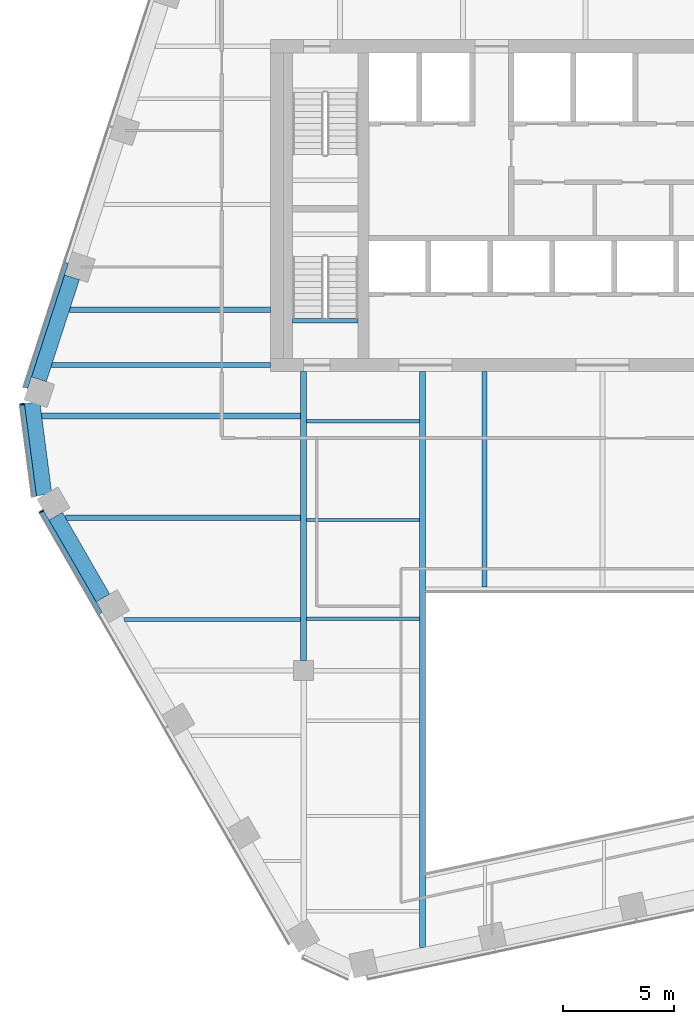
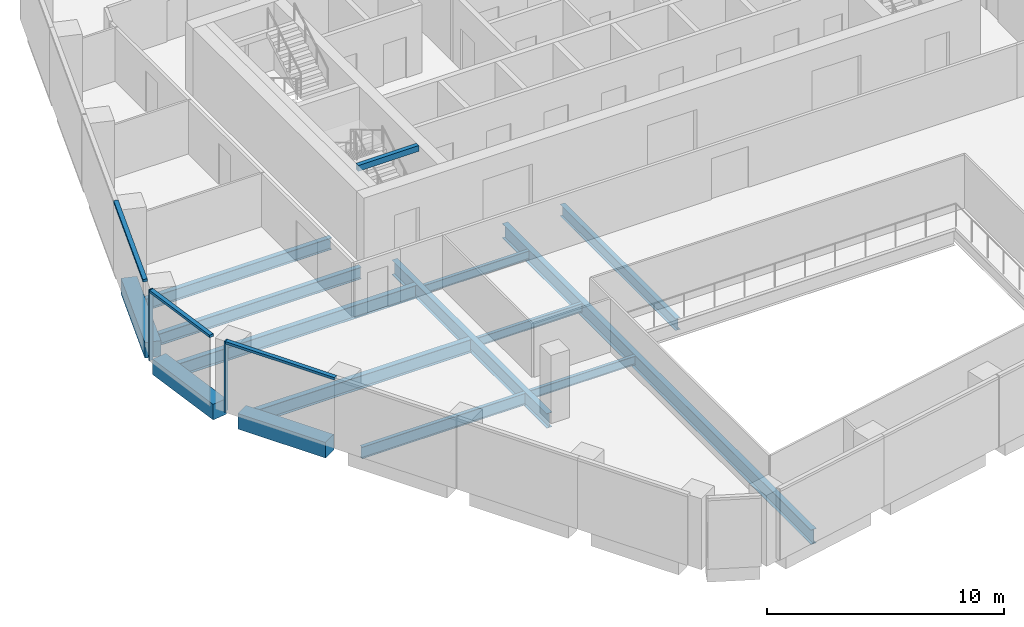
# One storey, part 3 of 15: 15 beams, 5 members, 3 elements without a shape of their own.
"""IFC4 building model written with IfcOpenShell, lengths in metres."""

from ifc_helpers import new_model, si_unit, direction, frame, origin, origin_2d, place, context, subcontext, project, spatial, rectangle, i_section, extrude, material, layer, layer_set, material_profile, profile_set, type_object, element, aggregate, save


model = new_model("IFC4")

# Units and contexts
model_context = context("Model", 3, precision=1e-05, world=origin(), true_north=direction((0.0, 1.0)))
body_context = subcontext(model_context, "Body", "Model", "MODEL_VIEW")
ifc_project = project(units=[si_unit("LENGTHUNIT", "METRE"), si_unit("AREAUNIT", "SQUARE_METRE"), si_unit("VOLUMEUNIT", "CUBIC_METRE"), si_unit("PLANEANGLEUNIT", "RADIAN"), si_unit("MASSUNIT", "GRAM", prefix="KILO")], contexts=[model_context])

# Site, building, storey
site_placement = place(None, origin())
site = spatial("IfcSite", under=ifc_project, at=site_placement, CompositionType="ELEMENT")
building_placement = place(site_placement, origin())
building = spatial("IfcBuilding", under=site, at=building_placement, Name="Isthmus Gate Tower", CompositionType="ELEMENT")
storey_placement = place(building_placement, frame((0.0, 0.0, 230.89990234375)))
storey = spatial("IfcBuildingStorey", under=building, at=storey_placement, Name="L58", CompositionType="ELEMENT", Elevation=230.89990234375)

# Curtain wall, member
ifc_material_1 = material(Name="Aluminium, pale champagne anodised", Category="aluminium")
ifc_layer = layer(ifc_material_1, 0.199951171875)
ifc_layer_set = layer_set([ifc_layer], Name="CW-1 UNITISED CURTAIN WALL 200 DEEP")
curtain_wall_type = type_object("IfcCurtainWallType", Name="CW-1 UNITISED CURTAIN WALL 200 DEEP", PredefinedType="NOTDEFINED", material=ifc_layer_set)
curtain_wall_1_placement = place(storey_placement, origin())
curtain_wall_1 = element("IfcCurtainWall", 1, at=curtain_wall_1_placement, inside=storey, type_object=curtain_wall_type, Name="CW-1 NW-SW L58", PredefinedType="NOTDEFINED")
ifc_material_2 = material(Name="Aluminium, pale champagne anodised", Category="aluminium")
ifc_material_profile_1 = material_profile(ifc_material_2, rectangle(XDim=0.06005859375, YDim=0.199951171875, at=origin_2d()), Name="60x200")
ifc_profile_set_1 = profile_set([ifc_material_profile_1], Name="Aluminium, pale champagne anodised")
member_type_1 = type_object("IfcMemberType", Name="CW-1 MULLION 60 X 200", PredefinedType="MULLION", material=ifc_profile_set_1)
member_1_placement = place(storey_placement, frame((-26.205322265625, -1.4658203125, 0.0), z_axis=(0.0, 0.0, 1.0), x_axis=(0.129164534, -0.991623175988, 0.0)))
member_1 = element("IfcMember", 2, at=member_1_placement, type_object=member_type_1, Name="CW-1 mullion", PredefinedType="MULLION", context=body_context, shape_type="SweptSolid", body=[
    extrude(rectangle(XDim=0.06005859375, YDim=0.199951171875, at=origin_2d()), origin(), (0.0, 0.0, 1.0), 3.650146484375),
])

curtain_wall_2_placement = place(storey_placement, origin())
curtain_wall_2 = element("IfcCurtainWall", 3, at=curtain_wall_2_placement, inside=storey, type_object=curtain_wall_type, Name="CW-1 SW L58", PredefinedType="NOTDEFINED")
member_2_placement = place(storey_placement, frame((-25.3427734375, -6.304931640625, 0.0), z_axis=(0.0, 0.0, 1.0), x_axis=(0.5, -0.866025403784, 0.0)))
member_2 = element("IfcMember", 4, at=member_2_placement, type_object=member_type_1, Name="CW-1 mullion", PredefinedType="MULLION", context=body_context, shape_type="SweptSolid", body=[
    extrude(rectangle(XDim=0.06005859375, YDim=0.199951171875, at=origin_2d()), origin(), (0.0, 0.0, 1.0), 3.650146484375),
])

curtain_wall_3_placement = place(storey_placement, origin())
curtain_wall_3 = element("IfcCurtainWall", 5, at=curtain_wall_3_placement, inside=storey, type_object=curtain_wall_type, Name="CW-1 NW L58", PredefinedType="NOTDEFINED")
ifc_material_3 = material(Name="Aluminium, pale champagne anodised", Category="aluminium")
ifc_material_profile_2 = material_profile(ifc_material_3, rectangle(XDim=0.199951171875, YDim=0.1298828125, at=origin_2d()), Name="200x130")
ifc_profile_set_2 = profile_set([ifc_material_profile_2], Name="Aluminium, pale champagne anodised")
member_type_2 = type_object("IfcMemberType", Name="CW-1 TRANSOM 200 X 130", PredefinedType="USERDEFINED", material=ifc_profile_set_2)
member_3_placement = place(storey_placement, frame((-24.217529296875, 4.92333984375, 3.585205078125), z_axis=(-0.309020108403, -0.951055504481, 0.0), x_axis=(0.951055504481, -0.309020108403, 0.0)))
member_3 = element("IfcMember", 6, at=member_3_placement, type_object=member_type_2, Name="CW-1 transom", ObjectType="TRANSOM", PredefinedType="USERDEFINED", context=body_context, shape_type="SweptSolid", body=[
    extrude(rectangle(XDim=0.199951171875, YDim=0.1298828125, at=origin_2d()), origin(), (0.0, 0.0, 1.0), 5.94189453125),
])
aggregate(curtain_wall_3, [member_3])

# Member
member_4_placement = place(storey_placement, frame((-26.20166015625, -1.495361328125, 3.585205078125), z_axis=(0.129206893318, -0.991617657527, 0.0), x_axis=(0.991617657527, 0.129206893318, 0.0)))
member_4 = element("IfcMember", 7, at=member_4_placement, type_object=member_type_2, Name="CW-1 transom", ObjectType="TRANSOM", PredefinedType="USERDEFINED", context=body_context, shape_type="SweptSolid", body=[
    extrude(rectangle(XDim=0.199951171875, YDim=0.1298828125, at=origin_2d()), origin(), (0.0, 0.0, 1.0), 4.181640625),
])

aggregate(curtain_wall_1, [member_1, member_4])

member_5_placement = place(storey_placement, frame((-25.327880859375, -6.3310546875, 3.585205078125), z_axis=(0.500022807565, -0.86601223543, 0.0), x_axis=(0.86601223543, 0.500022807565, 0.0)))
member_5 = element("IfcMember", 8, at=member_5_placement, type_object=member_type_2, Name="CW-1 transom", ObjectType="TRANSOM", PredefinedType="USERDEFINED", context=body_context, shape_type="SweptSolid", body=[
    extrude(rectangle(XDim=0.199951171875, YDim=0.1298828125, at=origin_2d()), origin(), (0.0, 0.0, 1.0), 5.300537109375),
])

aggregate(curtain_wall_2, [member_2, member_5])

# Beams
ifc_material_4 = material(Name="Concrete f'c 50 MPa", Category="concrete")
ifc_material_profile_3 = material_profile(ifc_material_4, rectangle(XDim=0.699951171875, YDim=0.800048828125, at=origin_2d()), Name="RC 700X800")
ifc_profile_set_3 = profile_set([ifc_material_profile_3], Name="Concrete f'c 50 MPa")
beam_type_1 = type_object("IfcBeamType", Name="RC SPANDREL 700 X 800", PredefinedType="SPANDREL", material=ifc_profile_set_3)
beam_1_placement = place(storey_placement, frame((-22.562744140625, -10.22021484375, -0.39990234375), z_axis=(-0.499996907167, 0.866027189425, 0.0), x_axis=(-0.866027189425, -0.499996907167, 0.0)))
element("IfcBeam", 9, at=beam_1_placement, inside=storey, type_object=beam_type_1, Name="str-spandrel-L58-19", PredefinedType="SPANDREL", context=body_context, shape_type="SweptSolid", body=[
    extrude(rectangle(XDim=0.699951171875, YDim=0.800048828125, at=origin_2d()), origin(), (0.0, 0.0, 1.0), 4.2607421875),
])
beam_2_placement = place(storey_placement, frame((-25.218017578125, -5.563232421875, -0.39990234375), z_axis=(-0.129137748309, 0.991626664608, 0.0), x_axis=(-0.991626664608, -0.129137748309, 0.0)))
element("IfcBeam", 10, at=beam_2_placement, inside=storey, type_object=beam_type_1, Name="str-spandrel-L58-20", PredefinedType="SPANDREL", context=body_context, shape_type="SweptSolid", body=[
    extrude(rectangle(XDim=0.699951171875, YDim=0.800048828125, at=origin_2d()), origin(), (0.0, 0.0, 1.0), 4.197021484375),
])
beam_3_placement = place(storey_placement, frame((-25.455810546875, -0.34375, -0.39990234375), z_axis=(0.309033626624, 0.951051111989, 0.0), x_axis=(-0.951051111989, 0.309033626624, 0.0)))
element("IfcBeam", 11, at=beam_3_placement, inside=storey, type_object=beam_type_1, Name="str-spandrel-L58-21", PredefinedType="SPANDREL", context=body_context, shape_type="SweptSolid", body=[
    extrude(rectangle(XDim=0.699951171875, YDim=0.800048828125, at=origin_2d()), origin(), (0.0, 0.0, 1.0), 4.842041015625),
])
ifc_material_5 = material(Name="Concrete f'c 40 MPa", Category="concrete")
ifc_material_profile_4 = material_profile(ifc_material_5, rectangle(XDim=0.199951171875, YDim=0.300048828125, at=origin_2d()), Name="STAIR LANDING BEAM RC 200 X 300")
ifc_profile_set_4 = profile_set([ifc_material_profile_4], Name="Concrete f'c 40 MPa")
beam_type_2 = type_object("IfcBeamType", Name="STAIR LANDING BEAM RC 200 X 300", PredefinedType="BEAM", material=ifc_profile_set_4)
beam_4_placement = place(storey_placement, frame((-14.0, 2.2998046875, 3.35009765625), z_axis=(1.0, 0.0, 0.0), x_axis=(0.0, 1.0, 0.0)))
element("IfcBeam", 12, at=beam_4_placement, inside=storey, type_object=beam_type_2, Name="L58 ST7 floor-edge seat beam", PredefinedType="BEAM", context=body_context, shape_type="SweptSolid", body=[
    extrude(rectangle(XDim=0.199951171875, YDim=0.300048828125, at=origin_2d()), origin(), (0.0, 0.0, 1.0), 2.949951171875),
])
ifc_material_6 = material(Name="Structural steel ASTM A992 Gr 50", Category="steel")
ifc_material_profile_5 = material_profile(ifc_material_6, i_section(OverallWidth=0.15234375, OverallDepth=0.45068359375, WebThickness=0.0078125, FlangeThickness=0.010986328125, at=origin_2d()), Name="W18X35")
ifc_profile_set_5 = profile_set([ifc_material_profile_5], Name="Structural steel ASTM A992 Gr 50")
beam_type_3 = type_object("IfcBeamType", Name="STEEL FLOOR BEAM W18X35", PredefinedType="JOIST", material=ifc_profile_set_5)
for number, where, z_axis, x_axis, name in (
    (13, (-13.3681640625, -11.16259765625, -0.375244140625), (1.0, 0.0, 0.0), (0.0, 1.0, 0.0), "str-beam-L58-03-00"),
    (14, (-13.3681640625, -6.697509765625, -0.375244140625), (1.0, 0.0, 0.0), (0.0, 1.0, 0.0), "str-beam-L58-03-01"),
    (15, (-13.3681640625, -2.232421875, -0.375244140625), (1.0, 0.0, 0.0), (0.0, 1.0, 0.0), "str-beam-L58-03-02"),
):
    element("IfcBeam", number, at=place(storey_placement, frame(where, z_axis=z_axis, x_axis=x_axis)), inside=storey, type_object=beam_type_3, Name=name, PredefinedType="JOIST", context=body_context, shape_type="SweptSolid", body=[
        extrude(i_section(OverallWidth=0.15234375, OverallDepth=0.45068359375, WebThickness=0.0078125, FlangeThickness=0.010986328125, at=origin_2d()), origin(), (0.0, 0.0, 1.0), 5.104736328125),
    ])
ifc_material_7 = material(Name="Structural steel ASTM A992 Gr 50", Category="steel")
ifc_material_profile_6 = material_profile(ifc_material_7, i_section(OverallWidth=0.177734375, OverallDepth=0.60009765625, WebThickness=0.009521484375, FlangeThickness=0.0126953125, at=origin_2d()), Name="W24X55")
ifc_profile_set_6 = profile_set([ifc_material_profile_6], Name="Structural steel ASTM A992 Gr 50")
beam_type_4 = type_object("IfcBeamType", Name="STEEL FLOOR BEAM W24X55", PredefinedType="JOIST", material=ifc_profile_set_6)
beam_5_placement = place(storey_placement, frame((-21.593017578125, -11.199951171875, -0.449951171875), z_axis=(1.0, 0.0, 0.0), x_axis=(0.0, 1.0, 0.0)))
element("IfcBeam", 16, at=beam_5_placement, inside=storey, type_object=beam_type_4, Name="str-beam-L58-01-00", PredefinedType="JOIST", context=body_context, shape_type="SweptSolid", body=[
    extrude(i_section(OverallWidth=0.177734375, OverallDepth=0.60009765625, WebThickness=0.009521484375, FlangeThickness=0.0126953125, at=origin_2d()), origin(), (0.0, 0.0, 1.0), 7.961181640625),
])
ifc_material_8 = material(Name="Structural steel ASTM A992 Gr 50", Category="steel")
ifc_material_profile_7 = material_profile(ifc_material_8, i_section(OverallWidth=0.228515625, OverallDepth=0.603271484375, WebThickness=0.010986328125, FlangeThickness=0.014404296875, at=origin_2d()), Name="W24X68")
ifc_profile_set_7 = profile_set([ifc_material_profile_7], Name="Structural steel ASTM A992 Gr 50")
beam_type_5 = type_object("IfcBeamType", Name="STEEL FLOOR BEAM W24X68", PredefinedType="JOIST", material=ifc_profile_set_7)
beam_6_placement = place(storey_placement, frame((-24.06787109375, 2.795166015625, -0.451416015625), z_axis=(1.0, 0.0, 0.0), x_axis=(0.0, 1.0, 0.0)))
element("IfcBeam", 17, at=beam_6_placement, inside=storey, type_object=beam_type_5, Name="str-beam-L58-00-00", PredefinedType="JOIST", context=body_context, shape_type="SweptSolid", body=[
    extrude(i_section(OverallWidth=0.228515625, OverallDepth=0.603271484375, WebThickness=0.010986328125, FlangeThickness=0.014404296875, at=origin_2d()), origin(), (0.0, 0.0, 1.0), 9.06787109375),
])
beam_7_placement = place(storey_placement, frame((-5.333251953125, -9.7333984375, -0.451416015625), z_axis=(0.0, 1.0, 0.0), x_axis=(-1.0, 0.0, 0.0)))
element("IfcBeam", 18, at=beam_7_placement, inside=storey, type_object=beam_type_5, Name="str-beam-L58-07-00", PredefinedType="JOIST", context=body_context, shape_type="SweptSolid", body=[
    extrude(i_section(OverallWidth=0.228515625, OverallDepth=0.603271484375, WebThickness=0.010986328125, FlangeThickness=0.014404296875, at=origin_2d()), origin(), (0.0, 0.0, 1.0), 9.7333984375),
])
ifc_material_9 = material(Name="Structural steel ASTM A992 Gr 50", Category="steel")
ifc_material_profile_8 = material_profile(ifc_material_9, i_section(OverallWidth=0.25390625, OverallDepth=0.679443359375, WebThickness=0.010986328125, FlangeThickness=0.015869140625, at=origin_2d()), Name="W27X84")
ifc_profile_set_8 = profile_set([ifc_material_profile_8], Name="Structural steel ASTM A992 Gr 50")
beam_type_6 = type_object("IfcBeamType", Name="STEEL FLOOR BEAM W27X84", PredefinedType="JOIST", material=ifc_profile_set_8)
beam_8_placement = place(storey_placement, frame((-24.248779296875, -6.60009765625, -0.489501953125), z_axis=(1.0, 0.0, 0.0), x_axis=(0.0, 1.0, 0.0)))
element("IfcBeam", 19, at=beam_8_placement, inside=storey, type_object=beam_type_6, Name="str-beam-L58-01-01", PredefinedType="JOIST", context=body_context, shape_type="SweptSolid", body=[
    extrude(i_section(OverallWidth=0.25390625, OverallDepth=0.679443359375, WebThickness=0.010986328125, FlangeThickness=0.015869140625, at=origin_2d()), origin(), (0.0, 0.0, 1.0), 10.616943359375),
])
beam_9_placement = place(storey_placement, frame((-25.3291015625, -2.0, -0.489501953125), z_axis=(1.0, 0.0, 0.0), x_axis=(0.0, 1.0, 0.0)))
element("IfcBeam", 20, at=beam_9_placement, inside=storey, type_object=beam_type_6, Name="str-beam-L58-01-02", PredefinedType="JOIST", context=body_context, shape_type="SweptSolid", body=[
    extrude(i_section(OverallWidth=0.25390625, OverallDepth=0.679443359375, WebThickness=0.010986328125, FlangeThickness=0.015869140625, at=origin_2d()), origin(), (0.0, 0.0, 1.0), 11.697265625),
])
ifc_material_10 = material(Name="Structural steel ASTM A992 Gr 50", Category="steel")
ifc_material_profile_9 = material_profile(ifc_material_10, i_section(OverallWidth=0.228515625, OverallDepth=0.6064453125, WebThickness=0.010986328125, FlangeThickness=0.017578125, at=origin_2d()), Name="W24X76")
ifc_profile_set_9 = profile_set([ifc_material_profile_9], Name="Structural steel ASTM A992 Gr 50")
beam_type_7 = type_object("IfcBeamType", Name="STEEL GIRDER W24X76", PredefinedType="BEAM", material=ifc_profile_set_9)
beam_10_placement = place(storey_placement, frame((-15.0, 0.300048828125, -0.453125), z_axis=(-1.0, 0.0, 0.0), x_axis=(0.0, -1.0, 0.0)))
element("IfcBeam", 21, at=beam_10_placement, inside=storey, type_object=beam_type_7, Name="str-girder-L58-09", PredefinedType="BEAM", context=body_context, shape_type="SweptSolid", body=[
    extrude(i_section(OverallWidth=0.228515625, OverallDepth=0.6064453125, WebThickness=0.010986328125, FlangeThickness=0.017578125, at=origin_2d()), origin(), (0.0, 0.0, 1.0), 9.878662109375),
])
ifc_material_11 = material(Name="Structural steel ASTM A992 Gr 50", Category="steel")
ifc_material_profile_10 = material_profile(ifc_material_11, i_section(OverallWidth=0.263427734375, OverallDepth=0.749267578125, WebThickness=0.0126953125, FlangeThickness=0.015869140625, at=origin_2d()), Name="W30X90")
ifc_profile_set_10 = profile_set([ifc_material_profile_10], Name="Structural steel ASTM A992 Gr 50")
beam_type_8 = type_object("IfcBeamType", Name="STEEL GIRDER W30X90", PredefinedType="BEAM", material=ifc_profile_set_10)
beam_11_placement = place(storey_placement, frame((-13.5, -13.050048828125, -0.524658203125), z_axis=(0.0, 1.0, 0.0), x_axis=(-1.0, 0.0, 0.0)))
element("IfcBeam", 22, at=beam_11_placement, inside=storey, type_object=beam_type_8, Name="str-girder-L58-06", PredefinedType="BEAM", context=body_context, shape_type="SweptSolid", body=[
    extrude(i_section(OverallWidth=0.263427734375, OverallDepth=0.749267578125, WebThickness=0.0126953125, FlangeThickness=0.015869140625, at=origin_2d()), origin(), (0.0, 0.0, 1.0), 13.050048828125),
])
ifc_material_12 = material(Name="Structural steel ASTM A992 Gr 50", Category="steel")
ifc_material_profile_11 = material_profile(ifc_material_12, i_section(OverallWidth=0.263427734375, OverallDepth=0.749267578125, WebThickness=0.0126953125, FlangeThickness=0.015869140625, at=origin_2d()), Name="W30X90")
ifc_profile_set_11 = profile_set([ifc_material_profile_11], Name="Structural steel ASTM A992 Gr 50")
beam_type_9 = type_object("IfcBeamType", Name="STEEL TRIMMER W30X90", PredefinedType="BEAM", material=ifc_profile_set_11)
beam_12_placement = place(storey_placement, frame((-8.1318359375, 0.0, -0.524658203125), z_axis=(0.0, -1.0, 0.0), x_axis=(1.0, 0.0, 0.0)))
element("IfcBeam", 23, at=beam_12_placement, inside=storey, type_object=beam_type_9, Name="str-trimmer-L58-02", PredefinedType="BEAM", context=body_context, shape_type="SweptSolid", body=[
    extrude(i_section(OverallWidth=0.263427734375, OverallDepth=0.749267578125, WebThickness=0.0126953125, FlangeThickness=0.015869140625, at=origin_2d()), origin(), (0.0, 0.0, 1.0), 26.012939453125),
])

save(model, "model.ifc")
